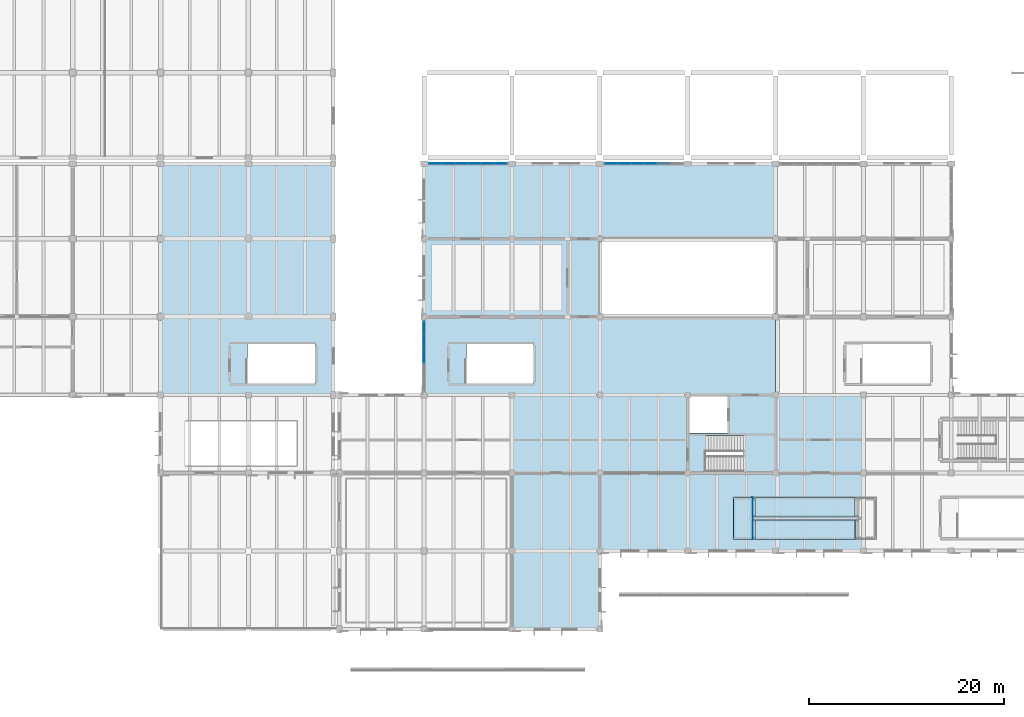
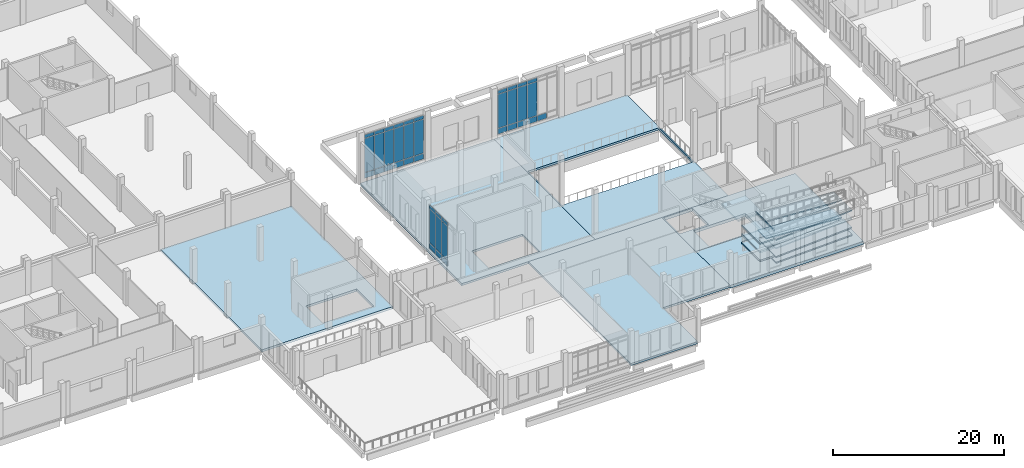
# One storey, part 56 of 110: 40 plates, 19 slabs, 5 elements without a shape of their own.
"""IFC4 building model written with IfcOpenShell, lengths in metres."""

from ifc_helpers import new_model, si_unit, direction, frame, origin, origin_2d, place, context, subcontext, project, spatial, polyline, rectangle, outline, extrude, material, layer, layer_set, type_object, element, aggregate, save


model = new_model("IFC4")

# Units and contexts
model_context = context("Model", 3, precision=1e-05, world=origin(), true_north=direction((0.0, 1.0)))
body_context = subcontext(model_context, "Body", "Model", "MODEL_VIEW")
ifc_project = project(units=[si_unit("LENGTHUNIT", "METRE"), si_unit("AREAUNIT", "SQUARE_METRE"), si_unit("VOLUMEUNIT", "CUBIC_METRE"), si_unit("PLANEANGLEUNIT", "RADIAN"), si_unit("MASSUNIT", "GRAM", prefix="KILO")], contexts=[model_context])

# Site, building, storey
site_placement = place(None, origin())
site = spatial("IfcSite", under=ifc_project, at=site_placement, CompositionType="ELEMENT")
building_placement = place(site_placement, origin())
building = spatial("IfcBuilding", under=site, at=building_placement, Name="Zacnel Wholesale Market", CompositionType="ELEMENT")
storey_placement = place(building_placement, frame((0.0, 0.0, 6.300048828125)))
storey = spatial("IfcBuildingStorey", under=building, at=storey_placement, Name="L02", CompositionType="ELEMENT", Elevation=6.300048828125)

# Curtain wall, plates
ifc_material_1 = material(Name="Anodised aluminium", Category="aluminium")
ifc_layer_1 = layer(ifc_material_1, 0.179931640625)
ifc_layer_set_1 = layer_set([ifc_layer_1], Name="Anodised aluminium")
curtain_wall_type = type_object("IfcCurtainWallType", Name="CW-AUCT-5800", PredefinedType="NOTDEFINED", material=ifc_layer_set_1)
curtain_wall_1_placement = place(storey_placement, origin())
curtain_wall_1 = element("IfcCurtainWall", 1, at=curtain_wall_1_placement, inside=storey, type_object=curtain_wall_type, Name="Curtain wall ENV-R2-CW-L02-010", PredefinedType="NOTDEFINED")
ifc_material_2 = material(Name="Laminated hurricane-impact low-E insulated glass", Category="glass")
ifc_layer_2 = layer(ifc_material_2, 0.035888671875)
ifc_layer_set_2 = layer_set([ifc_layer_2], Name="Laminated hurricane-impact low-E insulated glass")
plate_type_1 = type_object("IfcPlateType", Name="CWP-PNL-04", PredefinedType="CURTAIN_PANEL", material=ifc_layer_set_2)
plate_1_placement = place(storey_placement, frame((82.16259765625, 47.699951171875, 1.329833984375), z_axis=(0.0, 0.0, 1.0), x_axis=(1.0, 0.0, 0.0)))
plate_1 = element("IfcPlate", 2, at=plate_1_placement, type_object=plate_type_1, Name="ENV-R2-CW-L02-010 panel 1-2", PredefinedType="CURTAIN_PANEL", context=body_context, shape_type="SweptSolid", body=[
    extrude(rectangle(XDim=1.264892578125, YDim=0.035888671875, at=origin_2d()), origin(), (0.0, 0.0, 1.0), 4.830078125),
])
plate_2_placement = place(storey_placement, frame((83.49755859375, 47.699951171875, 1.329833984375), z_axis=(0.0, 0.0, 1.0), x_axis=(1.0, 0.0, 0.0)))
plate_2 = element("IfcPlate", 3, at=plate_2_placement, type_object=plate_type_1, Name="ENV-R2-CW-L02-010 panel 2-2", PredefinedType="CURTAIN_PANEL", context=body_context, shape_type="SweptSolid", body=[
    extrude(rectangle(XDim=1.264892578125, YDim=0.035888671875, at=origin_2d()), origin(), (0.0, 0.0, 1.0), 4.830078125),
])
plate_3_placement = place(storey_placement, frame((84.83251953125, 47.699951171875, 1.329833984375), z_axis=(0.0, 0.0, 1.0), x_axis=(1.0, 0.0, 0.0)))
plate_3 = element("IfcPlate", 4, at=plate_3_placement, type_object=plate_type_1, Name="ENV-R2-CW-L02-010 panel 3-2", PredefinedType="CURTAIN_PANEL", context=body_context, shape_type="SweptSolid", body=[
    extrude(rectangle(XDim=1.264892578125, YDim=0.035888671875, at=origin_2d()), origin(), (0.0, 0.0, 1.0), 4.830078125),
])
plate_4_placement = place(storey_placement, frame((86.16748046875, 47.699951171875, 1.329833984375), z_axis=(0.0, 0.0, 1.0), x_axis=(1.0, 0.0, 0.0)))
plate_4 = element("IfcPlate", 5, at=plate_4_placement, type_object=plate_type_1, Name="ENV-R2-CW-L02-010 panel 4-2", PredefinedType="CURTAIN_PANEL", context=body_context, shape_type="SweptSolid", body=[
    extrude(rectangle(XDim=1.264892578125, YDim=0.035888671875, at=origin_2d()), origin(), (0.0, 0.0, 1.0), 4.830078125),
])
plate_5_placement = place(storey_placement, frame((87.50244140625, 47.699951171875, 1.329833984375), z_axis=(0.0, 0.0, 1.0), x_axis=(1.0, 0.0, 0.0)))
plate_5 = element("IfcPlate", 6, at=plate_5_placement, type_object=plate_type_1, Name="ENV-R2-CW-L02-010 panel 5-2", PredefinedType="CURTAIN_PANEL", context=body_context, shape_type="SweptSolid", body=[
    extrude(rectangle(XDim=1.264892578125, YDim=0.035888671875, at=origin_2d()), origin(), (0.0, 0.0, 1.0), 4.830078125),
])
plate_6_placement = place(storey_placement, frame((88.83740234375, 47.699951171875, 1.329833984375), z_axis=(0.0, 0.0, 1.0), x_axis=(1.0, 0.0, 0.0)))
plate_6 = element("IfcPlate", 7, at=plate_6_placement, type_object=plate_type_1, Name="ENV-R2-CW-L02-010 panel 6-2", PredefinedType="CURTAIN_PANEL", context=body_context, shape_type="SweptSolid", body=[
    extrude(rectangle(XDim=1.264892578125, YDim=0.035888671875, at=origin_2d()), origin(), (0.0, 0.0, 1.0), 4.830078125),
])

curtain_wall_2_placement = place(storey_placement, origin())
curtain_wall_2 = element("IfcCurtainWall", 8, at=curtain_wall_2_placement, inside=storey, type_object=curtain_wall_type, Name="Curtain wall ENV-R2-CW-L02-011", PredefinedType="NOTDEFINED")
plate_7_placement = place(storey_placement, frame((100.16259765625, 47.699951171875, 1.329833984375), z_axis=(0.0, 0.0, 1.0), x_axis=(1.0, 0.0, 0.0)))
plate_7 = element("IfcPlate", 9, at=plate_7_placement, type_object=plate_type_1, Name="ENV-R2-CW-L02-011 panel 1-2", PredefinedType="CURTAIN_PANEL", context=body_context, shape_type="SweptSolid", body=[
    extrude(rectangle(XDim=1.264892578125, YDim=0.035888671875, at=origin_2d()), origin(), (0.0, 0.0, 1.0), 4.830078125),
])
plate_8_placement = place(storey_placement, frame((101.49755859375, 47.699951171875, 1.329833984375), z_axis=(0.0, 0.0, 1.0), x_axis=(1.0, 0.0, 0.0)))
plate_8 = element("IfcPlate", 10, at=plate_8_placement, type_object=plate_type_1, Name="ENV-R2-CW-L02-011 panel 2-2", PredefinedType="CURTAIN_PANEL", context=body_context, shape_type="SweptSolid", body=[
    extrude(rectangle(XDim=1.264892578125, YDim=0.035888671875, at=origin_2d()), origin(), (0.0, 0.0, 1.0), 4.830078125),
])
plate_9_placement = place(storey_placement, frame((102.83251953125, 47.699951171875, 1.329833984375), z_axis=(0.0, 0.0, 1.0), x_axis=(1.0, 0.0, 0.0)))
plate_9 = element("IfcPlate", 11, at=plate_9_placement, type_object=plate_type_1, Name="ENV-R2-CW-L02-011 panel 3-2", PredefinedType="CURTAIN_PANEL", context=body_context, shape_type="SweptSolid", body=[
    extrude(rectangle(XDim=1.264892578125, YDim=0.035888671875, at=origin_2d()), origin(), (0.0, 0.0, 1.0), 4.830078125),
])
plate_10_placement = place(storey_placement, frame((104.16748046875, 47.699951171875, 1.329833984375), z_axis=(0.0, 0.0, 1.0), x_axis=(1.0, 0.0, 0.0)))
plate_10 = element("IfcPlate", 12, at=plate_10_placement, type_object=plate_type_1, Name="ENV-R2-CW-L02-011 panel 4-2", PredefinedType="CURTAIN_PANEL", context=body_context, shape_type="SweptSolid", body=[
    extrude(rectangle(XDim=1.264892578125, YDim=0.035888671875, at=origin_2d()), origin(), (0.0, 0.0, 1.0), 4.830078125),
])

curtain_wall_3_placement = place(storey_placement, origin())
curtain_wall_3 = element("IfcCurtainWall", 13, at=curtain_wall_3_placement, inside=storey, type_object=curtain_wall_type, Name="Curtain wall ENV-R2-CW-L02-013", PredefinedType="NOTDEFINED")
plate_11_placement = place(storey_placement, frame((81.0, 28.0, 1.329833984375), z_axis=(0.0, 0.0, 1.0), x_axis=(0.0, 1.0, 0.0)))
plate_11 = element("IfcPlate", 14, at=plate_11_placement, type_object=plate_type_1, Name="ENV-R2-CW-L02-013 panel 3-2", PredefinedType="CURTAIN_PANEL", context=body_context, shape_type="SweptSolid", body=[
    extrude(rectangle(XDim=1.35009765625, YDim=0.035888671875, at=origin_2d()), origin(), (0.0, 0.0, 1.0), 4.830078125),
])
plate_12_placement = place(storey_placement, frame((81.0, 29.419921875, 1.329833984375), z_axis=(0.0, 0.0, 1.0), x_axis=(0.0, 1.0, 0.0)))
plate_12 = element("IfcPlate", 15, at=plate_12_placement, type_object=plate_type_1, Name="ENV-R2-CW-L02-013 panel 4-2", PredefinedType="CURTAIN_PANEL", context=body_context, shape_type="SweptSolid", body=[
    extrude(rectangle(XDim=1.35009765625, YDim=0.035888671875, at=origin_2d()), origin(), (0.0, 0.0, 1.0), 4.830078125),
])
plate_13_placement = place(storey_placement, frame((81.0, 30.840087890625, 1.329833984375), z_axis=(0.0, 0.0, 1.0), x_axis=(0.0, 1.0, 0.0)))
plate_13 = element("IfcPlate", 16, at=plate_13_placement, type_object=plate_type_1, Name="ENV-R2-CW-L02-013 panel 5-2", PredefinedType="CURTAIN_PANEL", context=body_context, shape_type="SweptSolid", body=[
    extrude(rectangle(XDim=1.35009765625, YDim=0.035888671875, at=origin_2d()), origin(), (0.0, 0.0, 1.0), 4.830078125),
])

# Plate
ifc_material_3 = material(Name="Anodised aluminium", Category="aluminium")
ifc_layer_3 = layer(ifc_material_3, 0.0400390625)
ifc_layer_set_3 = layer_set([ifc_layer_3], Name="Anodised aluminium")
plate_type_2 = type_object("IfcPlateType", Name="CWP-PNL-05", PredefinedType="CURTAIN_PANEL", material=ifc_layer_set_3)
plate_14_placement = place(storey_placement, frame((82.16259765625, 47.699951171875, 0.47998046875), z_axis=(0.0, 0.0, 1.0), x_axis=(1.0, 0.0, 0.0)))
plate_14 = element("IfcPlate", 17, at=plate_14_placement, type_object=plate_type_2, Name="ENV-R2-CW-L02-010 panel 1-1", PredefinedType="CURTAIN_PANEL", context=body_context, shape_type="SweptSolid", body=[
    extrude(rectangle(XDim=1.264892578125, YDim=0.0400390625, at=origin_2d()), origin(), (0.0, 0.0, 1.0), 0.7900390625),
])

plate_15_placement = place(storey_placement, frame((82.16259765625, 47.699951171875, 6.2197265625), z_axis=(0.0, 0.0, 1.0), x_axis=(1.0, 0.0, 0.0)))
plate_15 = element("IfcPlate", 18, at=plate_15_placement, type_object=plate_type_2, Name="ENV-R2-CW-L02-010 panel 1-3", PredefinedType="CURTAIN_PANEL", context=body_context, shape_type="SweptSolid", body=[
    extrude(rectangle(XDim=1.264892578125, YDim=0.0400390625, at=origin_2d()), origin(), (0.0, 0.0, 1.0), 0.489990234375),
])

plate_16_placement = place(storey_placement, frame((84.83251953125, 47.699951171875, 0.47998046875), z_axis=(0.0, 0.0, 1.0), x_axis=(1.0, 0.0, 0.0)))
plate_16 = element("IfcPlate", 19, at=plate_16_placement, type_object=plate_type_2, Name="ENV-R2-CW-L02-010 panel 3-1", PredefinedType="CURTAIN_PANEL", context=body_context, shape_type="SweptSolid", body=[
    extrude(rectangle(XDim=1.264892578125, YDim=0.0400390625, at=origin_2d()), origin(), (0.0, 0.0, 1.0), 0.7900390625),
])

plate_17_placement = place(storey_placement, frame((84.83251953125, 47.699951171875, 6.2197265625), z_axis=(0.0, 0.0, 1.0), x_axis=(1.0, 0.0, 0.0)))
plate_17 = element("IfcPlate", 20, at=plate_17_placement, type_object=plate_type_2, Name="ENV-R2-CW-L02-010 panel 3-3", PredefinedType="CURTAIN_PANEL", context=body_context, shape_type="SweptSolid", body=[
    extrude(rectangle(XDim=1.264892578125, YDim=0.0400390625, at=origin_2d()), origin(), (0.0, 0.0, 1.0), 0.489990234375),
])

plate_18_placement = place(storey_placement, frame((87.50244140625, 47.699951171875, 0.47998046875), z_axis=(0.0, 0.0, 1.0), x_axis=(1.0, 0.0, 0.0)))
plate_18 = element("IfcPlate", 21, at=plate_18_placement, type_object=plate_type_2, Name="ENV-R2-CW-L02-010 panel 5-1", PredefinedType="CURTAIN_PANEL", context=body_context, shape_type="SweptSolid", body=[
    extrude(rectangle(XDim=1.264892578125, YDim=0.0400390625, at=origin_2d()), origin(), (0.0, 0.0, 1.0), 0.7900390625),
])

plate_19_placement = place(storey_placement, frame((87.50244140625, 47.699951171875, 6.2197265625), z_axis=(0.0, 0.0, 1.0), x_axis=(1.0, 0.0, 0.0)))
plate_19 = element("IfcPlate", 22, at=plate_19_placement, type_object=plate_type_2, Name="ENV-R2-CW-L02-010 panel 5-3", PredefinedType="CURTAIN_PANEL", context=body_context, shape_type="SweptSolid", body=[
    extrude(rectangle(XDim=1.264892578125, YDim=0.0400390625, at=origin_2d()), origin(), (0.0, 0.0, 1.0), 0.489990234375),
])

plate_20_placement = place(storey_placement, frame((100.16259765625, 47.699951171875, 0.47998046875), z_axis=(0.0, 0.0, 1.0), x_axis=(1.0, 0.0, 0.0)))
plate_20 = element("IfcPlate", 23, at=plate_20_placement, type_object=plate_type_2, Name="ENV-R2-CW-L02-011 panel 1-1", PredefinedType="CURTAIN_PANEL", context=body_context, shape_type="SweptSolid", body=[
    extrude(rectangle(XDim=1.264892578125, YDim=0.0400390625, at=origin_2d()), origin(), (0.0, 0.0, 1.0), 0.7900390625),
])

plate_21_placement = place(storey_placement, frame((100.16259765625, 47.699951171875, 6.2197265625), z_axis=(0.0, 0.0, 1.0), x_axis=(1.0, 0.0, 0.0)))
plate_21 = element("IfcPlate", 24, at=plate_21_placement, type_object=plate_type_2, Name="ENV-R2-CW-L02-011 panel 1-3", PredefinedType="CURTAIN_PANEL", context=body_context, shape_type="SweptSolid", body=[
    extrude(rectangle(XDim=1.264892578125, YDim=0.0400390625, at=origin_2d()), origin(), (0.0, 0.0, 1.0), 0.489990234375),
])

plate_22_placement = place(storey_placement, frame((102.83251953125, 47.699951171875, 0.47998046875), z_axis=(0.0, 0.0, 1.0), x_axis=(1.0, 0.0, 0.0)))
plate_22 = element("IfcPlate", 25, at=plate_22_placement, type_object=plate_type_2, Name="ENV-R2-CW-L02-011 panel 3-1", PredefinedType="CURTAIN_PANEL", context=body_context, shape_type="SweptSolid", body=[
    extrude(rectangle(XDim=1.264892578125, YDim=0.0400390625, at=origin_2d()), origin(), (0.0, 0.0, 1.0), 0.7900390625),
])

plate_23_placement = place(storey_placement, frame((102.83251953125, 47.699951171875, 6.2197265625), z_axis=(0.0, 0.0, 1.0), x_axis=(1.0, 0.0, 0.0)))
plate_23 = element("IfcPlate", 26, at=plate_23_placement, type_object=plate_type_2, Name="ENV-R2-CW-L02-011 panel 3-3", PredefinedType="CURTAIN_PANEL", context=body_context, shape_type="SweptSolid", body=[
    extrude(rectangle(XDim=1.264892578125, YDim=0.0400390625, at=origin_2d()), origin(), (0.0, 0.0, 1.0), 0.489990234375),
])

plate_24_placement = place(storey_placement, frame((105.50244140625, 47.699951171875, 0.47998046875), z_axis=(0.0, 0.0, 1.0), x_axis=(1.0, 0.0, 0.0)))
plate_24 = element("IfcPlate", 27, at=plate_24_placement, type_object=plate_type_2, Name="ENV-R2-CW-L02-011 panel 5-1", PredefinedType="CURTAIN_PANEL", context=body_context, shape_type="SweptSolid", body=[
    extrude(rectangle(XDim=1.264892578125, YDim=0.0400390625, at=origin_2d()), origin(), (0.0, 0.0, 1.0), 0.7900390625),
])

plate_25_placement = place(storey_placement, frame((81.0, 28.0, 0.47998046875), z_axis=(0.0, 0.0, 1.0), x_axis=(0.0, 1.0, 0.0)))
plate_25 = element("IfcPlate", 28, at=plate_25_placement, type_object=plate_type_2, Name="ENV-R2-CW-L02-013 panel 3-1", PredefinedType="CURTAIN_PANEL", context=body_context, shape_type="SweptSolid", body=[
    extrude(rectangle(XDim=1.35009765625, YDim=0.0400390625, at=origin_2d()), origin(), (0.0, 0.0, 1.0), 0.7900390625),
])

plate_26_placement = place(storey_placement, frame((81.0, 28.0, 6.2197265625), z_axis=(0.0, 0.0, 1.0), x_axis=(0.0, 1.0, 0.0)))
plate_26 = element("IfcPlate", 29, at=plate_26_placement, type_object=plate_type_2, Name="ENV-R2-CW-L02-013 panel 3-3", PredefinedType="CURTAIN_PANEL", context=body_context, shape_type="SweptSolid", body=[
    extrude(rectangle(XDim=1.35009765625, YDim=0.0400390625, at=origin_2d()), origin(), (0.0, 0.0, 1.0), 0.489990234375),
])

plate_27_placement = place(storey_placement, frame((81.0, 30.840087890625, 0.47998046875), z_axis=(0.0, 0.0, 1.0), x_axis=(0.0, 1.0, 0.0)))
plate_27 = element("IfcPlate", 30, at=plate_27_placement, type_object=plate_type_2, Name="ENV-R2-CW-L02-013 panel 5-1", PredefinedType="CURTAIN_PANEL", context=body_context, shape_type="SweptSolid", body=[
    extrude(rectangle(XDim=1.35009765625, YDim=0.0400390625, at=origin_2d()), origin(), (0.0, 0.0, 1.0), 0.7900390625),
])

plate_28_placement = place(storey_placement, frame((81.0, 30.840087890625, 6.2197265625), z_axis=(0.0, 0.0, 1.0), x_axis=(0.0, 1.0, 0.0)))
plate_28 = element("IfcPlate", 31, at=plate_28_placement, type_object=plate_type_2, Name="ENV-R2-CW-L02-013 panel 5-3", PredefinedType="CURTAIN_PANEL", context=body_context, shape_type="SweptSolid", body=[
    extrude(rectangle(XDim=1.35009765625, YDim=0.0400390625, at=origin_2d()), origin(), (0.0, 0.0, 1.0), 0.489990234375),
])

ifc_material_4 = material(Name="Honed Yucatan Maya cream limestone", Category="masonry")
ifc_layer_4 = layer(ifc_material_4, 0.044921875)
ifc_layer_set_4 = layer_set([ifc_layer_4], Name="Honed Yucatan Maya cream limestone")
plate_type_3 = type_object("IfcPlateType", Name="CWP-PNL-06", PredefinedType="CURTAIN_PANEL", material=ifc_layer_set_4)
plate_29_placement = place(storey_placement, frame((83.49755859375, 47.699951171875, 0.47998046875), z_axis=(0.0, 0.0, 1.0), x_axis=(1.0, 0.0, 0.0)))
plate_29 = element("IfcPlate", 32, at=plate_29_placement, type_object=plate_type_3, Name="ENV-R2-CW-L02-010 panel 2-1", PredefinedType="CURTAIN_PANEL", context=body_context, shape_type="SweptSolid", body=[
    extrude(rectangle(XDim=1.264892578125, YDim=0.044921875, at=origin_2d()), origin(), (0.0, 0.0, 1.0), 0.7900390625),
])

plate_30_placement = place(storey_placement, frame((83.49755859375, 47.699951171875, 6.2197265625), z_axis=(0.0, 0.0, 1.0), x_axis=(1.0, 0.0, 0.0)))
plate_30 = element("IfcPlate", 33, at=plate_30_placement, type_object=plate_type_3, Name="ENV-R2-CW-L02-010 panel 2-3", PredefinedType="CURTAIN_PANEL", context=body_context, shape_type="SweptSolid", body=[
    extrude(rectangle(XDim=1.264892578125, YDim=0.044921875, at=origin_2d()), origin(), (0.0, 0.0, 1.0), 0.489990234375),
])

plate_31_placement = place(storey_placement, frame((86.16748046875, 47.699951171875, 0.47998046875), z_axis=(0.0, 0.0, 1.0), x_axis=(1.0, 0.0, 0.0)))
plate_31 = element("IfcPlate", 34, at=plate_31_placement, type_object=plate_type_3, Name="ENV-R2-CW-L02-010 panel 4-1", PredefinedType="CURTAIN_PANEL", context=body_context, shape_type="SweptSolid", body=[
    extrude(rectangle(XDim=1.264892578125, YDim=0.044921875, at=origin_2d()), origin(), (0.0, 0.0, 1.0), 0.7900390625),
])

plate_32_placement = place(storey_placement, frame((86.16748046875, 47.699951171875, 6.2197265625), z_axis=(0.0, 0.0, 1.0), x_axis=(1.0, 0.0, 0.0)))
plate_32 = element("IfcPlate", 35, at=plate_32_placement, type_object=plate_type_3, Name="ENV-R2-CW-L02-010 panel 4-3", PredefinedType="CURTAIN_PANEL", context=body_context, shape_type="SweptSolid", body=[
    extrude(rectangle(XDim=1.264892578125, YDim=0.044921875, at=origin_2d()), origin(), (0.0, 0.0, 1.0), 0.489990234375),
])

plate_33_placement = place(storey_placement, frame((88.83740234375, 47.699951171875, 0.47998046875), z_axis=(0.0, 0.0, 1.0), x_axis=(1.0, 0.0, 0.0)))
plate_33 = element("IfcPlate", 36, at=plate_33_placement, type_object=plate_type_3, Name="ENV-R2-CW-L02-010 panel 6-1", PredefinedType="CURTAIN_PANEL", context=body_context, shape_type="SweptSolid", body=[
    extrude(rectangle(XDim=1.264892578125, YDim=0.044921875, at=origin_2d()), origin(), (0.0, 0.0, 1.0), 0.7900390625),
])

plate_34_placement = place(storey_placement, frame((88.83740234375, 47.699951171875, 6.2197265625), z_axis=(0.0, 0.0, 1.0), x_axis=(1.0, 0.0, 0.0)))
plate_34 = element("IfcPlate", 37, at=plate_34_placement, type_object=plate_type_3, Name="ENV-R2-CW-L02-010 panel 6-3", PredefinedType="CURTAIN_PANEL", context=body_context, shape_type="SweptSolid", body=[
    extrude(rectangle(XDim=1.264892578125, YDim=0.044921875, at=origin_2d()), origin(), (0.0, 0.0, 1.0), 0.489990234375),
])

aggregate(curtain_wall_1, [plate_14, plate_1, plate_15, plate_29, plate_2, plate_30, plate_16, plate_3, plate_17, plate_31, plate_4, plate_32, plate_18, plate_5, plate_19, plate_33, plate_6, plate_34])

plate_35_placement = place(storey_placement, frame((101.49755859375, 47.699951171875, 0.47998046875), z_axis=(0.0, 0.0, 1.0), x_axis=(1.0, 0.0, 0.0)))
plate_35 = element("IfcPlate", 38, at=plate_35_placement, type_object=plate_type_3, Name="ENV-R2-CW-L02-011 panel 2-1", PredefinedType="CURTAIN_PANEL", context=body_context, shape_type="SweptSolid", body=[
    extrude(rectangle(XDim=1.264892578125, YDim=0.044921875, at=origin_2d()), origin(), (0.0, 0.0, 1.0), 0.7900390625),
])

plate_36_placement = place(storey_placement, frame((101.49755859375, 47.699951171875, 6.2197265625), z_axis=(0.0, 0.0, 1.0), x_axis=(1.0, 0.0, 0.0)))
plate_36 = element("IfcPlate", 39, at=plate_36_placement, type_object=plate_type_3, Name="ENV-R2-CW-L02-011 panel 2-3", PredefinedType="CURTAIN_PANEL", context=body_context, shape_type="SweptSolid", body=[
    extrude(rectangle(XDim=1.264892578125, YDim=0.044921875, at=origin_2d()), origin(), (0.0, 0.0, 1.0), 0.489990234375),
])

plate_37_placement = place(storey_placement, frame((104.16748046875, 47.699951171875, 0.47998046875), z_axis=(0.0, 0.0, 1.0), x_axis=(1.0, 0.0, 0.0)))
plate_37 = element("IfcPlate", 40, at=plate_37_placement, type_object=plate_type_3, Name="ENV-R2-CW-L02-011 panel 4-1", PredefinedType="CURTAIN_PANEL", context=body_context, shape_type="SweptSolid", body=[
    extrude(rectangle(XDim=1.264892578125, YDim=0.044921875, at=origin_2d()), origin(), (0.0, 0.0, 1.0), 0.7900390625),
])

plate_38_placement = place(storey_placement, frame((104.16748046875, 47.699951171875, 6.2197265625), z_axis=(0.0, 0.0, 1.0), x_axis=(1.0, 0.0, 0.0)))
plate_38 = element("IfcPlate", 41, at=plate_38_placement, type_object=plate_type_3, Name="ENV-R2-CW-L02-011 panel 4-3", PredefinedType="CURTAIN_PANEL", context=body_context, shape_type="SweptSolid", body=[
    extrude(rectangle(XDim=1.264892578125, YDim=0.044921875, at=origin_2d()), origin(), (0.0, 0.0, 1.0), 0.489990234375),
])

aggregate(curtain_wall_2, [plate_20, plate_7, plate_21, plate_35, plate_8, plate_36, plate_22, plate_9, plate_23, plate_37, plate_10, plate_38, plate_24])

plate_39_placement = place(storey_placement, frame((81.0, 29.419921875, 0.47998046875), z_axis=(0.0, 0.0, 1.0), x_axis=(0.0, 1.0, 0.0)))
plate_39 = element("IfcPlate", 42, at=plate_39_placement, type_object=plate_type_3, Name="ENV-R2-CW-L02-013 panel 4-1", PredefinedType="CURTAIN_PANEL", context=body_context, shape_type="SweptSolid", body=[
    extrude(rectangle(XDim=1.35009765625, YDim=0.044921875, at=origin_2d()), origin(), (0.0, 0.0, 1.0), 0.7900390625),
])

plate_40_placement = place(storey_placement, frame((81.0, 29.419921875, 6.2197265625), z_axis=(0.0, 0.0, 1.0), x_axis=(0.0, 1.0, 0.0)))
plate_40 = element("IfcPlate", 43, at=plate_40_placement, type_object=plate_type_3, Name="ENV-R2-CW-L02-013 panel 4-3", PredefinedType="CURTAIN_PANEL", context=body_context, shape_type="SweptSolid", body=[
    extrude(rectangle(XDim=1.35009765625, YDim=0.044921875, at=origin_2d()), origin(), (0.0, 0.0, 1.0), 0.489990234375),
])

aggregate(curtain_wall_3, [plate_25, plate_11, plate_26, plate_39, plate_12, plate_40, plate_27, plate_13, plate_28])

# Slabs
ifc_material_5 = material(Name="Precast concrete C45/55", Category="concrete")
ifc_layer_5 = layer(ifc_material_5, 0.300048828125)
ifc_layer_set_5 = layer_set([ifc_layer_5], Name="Precast concrete C45/55")
slab_type_1 = type_object("IfcSlabType", Name="SLB-FLR-300", PredefinedType="FLOOR", material=ifc_layer_set_5)
slab_1_placement = place(storey_placement, frame((0.0, 0.0, -0.300048828125)))
element("IfcSlab", 44, at=slab_1_placement, inside=storey, type_object=slab_type_1, Name="Structural slab SLB-L02-V4-INT-P2", PredefinedType="FLOOR", context=body_context, shape_type="SweptSolid", body=[
    extrude(outline(polyline([(108.0, 24.0), (108.0, 8.0), (99.0, 8.0), (99.0, 0.0), (90.0, 0.0), (90.0, 24.0), (108.0, 24.0)])), origin(), (0.0, 0.0, 1.0), 0.300048828125),
])
slab_2_placement = place(storey_placement, frame((0.0, 0.0, -0.300048828125)))
element("IfcSlab", 45, at=slab_2_placement, inside=storey, type_object=slab_type_1, Name="Structural slab SLB-L02-V2-GAL-P1", PredefinedType="FLOOR", context=body_context, shape_type="SweptSolid", body=[
    extrude(outline(polyline([(99.0, 47.699951171875), (99.0, 24.0), (81.0, 24.0), (81.0, 47.699951171875), (99.0, 47.699951171875)]), holes=[polyline([(85.320068359375, 25.199951171875), (92.199951171875, 25.199951171875), (92.199951171875, 29.199951171875), (85.320068359375, 29.199951171875), (85.320068359375, 25.199951171875)])]), origin(), (0.0, 0.0, 1.0), 0.300048828125),
])
slab_3_placement = place(storey_placement, frame((0.0, 0.0, -0.300048828125)))
element("IfcSlab", 46, at=slab_3_placement, inside=storey, type_object=slab_type_1, Name="Structural slab SLB-L02-V2-GAL-P2", PredefinedType="FLOOR", context=body_context, shape_type="SweptSolid", body=[
    extrude(outline(polyline([(117.0, 47.699951171875), (117.0, 24.0), (99.0, 24.0), (99.0, 47.699951171875), (117.0, 47.699951171875)]), holes=[polyline([(99.14990234375, 32.0), (116.85009765625, 32.0), (116.85009765625, 40.0), (99.14990234375, 40.0), (99.14990234375, 32.0)])]), origin(), (0.0, 0.0, 1.0), 0.300048828125),
])
ifc_material_6 = material(Name="Precast concrete C45/55", Category="concrete")
ifc_layer_6 = layer(ifc_material_6, 0.320068359375)
ifc_layer_set_6 = layer_set([ifc_layer_6], Name="Precast concrete C45/55")
slab_type_2 = type_object("IfcSlabType", Name="SLB-FLR-320", PredefinedType="FLOOR", material=ifc_layer_set_6)
slab_4_placement = place(storey_placement, frame((0.0, 0.0, -0.320068359375)))
element("IfcSlab", 47, at=slab_4_placement, inside=storey, type_object=slab_type_2, Name="Structural slab SLB-L02-V3-S-P3", PredefinedType="FLOOR", context=body_context, shape_type="SweptSolid", body=[
    extrude(outline(polyline([(71.699951171875, 24.0), (54.0, 24.0), (54.0, 47.699951171875), (71.699951171875, 47.699951171875), (71.699951171875, 24.0)]), holes=[polyline([(62.919921875, 25.199951171875), (69.800048828125, 25.199951171875), (69.800048828125, 29.199951171875), (62.919921875, 29.199951171875), (62.919921875, 25.199951171875)])]), origin(), (0.0, 0.0, 1.0), 0.320068359375),
])
ifc_material_7 = material(Name="Precast concrete C45/55", Category="concrete")
ifc_layer_7 = layer(ifc_material_7, 0.419921875)
ifc_layer_set_7 = layer_set([ifc_layer_7], Name="Precast concrete C45/55")
slab_type_3 = type_object("IfcSlabType", Name="SLB-FLR-420", PredefinedType="FLOOR", material=ifc_layer_set_7)
slab_5_placement = place(storey_placement, frame((0.0, 0.0, -0.420166015625)))
element("IfcSlab", 48, at=slab_5_placement, inside=storey, type_object=slab_type_3, Name="Structural slab SLB-L02-V4-FLW2-P1", PredefinedType="FLOOR", context=body_context, shape_type="SweptSolid", body=[
    extrude(outline(polyline([(126.0, 24.0), (126.0, 16.0), (108.0, 16.0), (108.0, 24.0), (126.0, 24.0)]), holes=[polyline([(109.85009765625, 16.139892578125), (116.8701171875, 16.139892578125), (116.8701171875, 19.820068359375), (109.85009765625, 19.820068359375), (109.85009765625, 16.139892578125)]), polyline([(108.139892578125, 20.080078125), (112.070068359375, 20.080078125), (112.070068359375, 23.860107421875), (108.139892578125, 23.860107421875), (108.139892578125, 20.080078125)])]), origin(), (0.0, 0.0, 1.0), 0.420166015625),
])
slab_6_placement = place(storey_placement, frame((0.0, 0.0, -0.420166015625)))
element("IfcSlab", 49, at=slab_6_placement, inside=storey, type_object=slab_type_3, Name="Structural slab SLB-L02-V4-EAST-S-P1", PredefinedType="FLOOR", context=body_context, shape_type="SweptSolid", body=[
    extrude(outline(polyline([(126.0, 16.0), (126.0, 8.0), (108.0, 8.0), (108.0, 16.0), (126.0, 16.0)])), origin(), (0.0, 0.0, 1.0), 0.420166015625),
])

# Stair, slab
ifc_material_8 = material(Name="Precast concrete C45/55", Category="concrete")
stair_type = type_object("IfcStairType", Name="STR-DOGLEG-1550", PredefinedType="HALF_TURN_STAIR", material=ifc_material_8)
stair_placement = place(storey_placement, origin())
stair = element("IfcStair", 50, at=stair_placement, inside=storey, type_object=stair_type, Name="Stair ST-17 (L02)", PredefinedType="HALF_TURN_STAIR")
ifc_material_9 = material(Name="Precast concrete C45/55", Category="concrete")
ifc_layer_8 = layer(ifc_material_9, 0.199951171875)
ifc_layer_set_8 = layer_set([ifc_layer_8], Name="Precast concrete C45/55")
slab_type_4 = type_object("IfcSlabType", Name="SLB-LAND-200", PredefinedType="LANDING", material=ifc_layer_set_8)
slab_7_placement = place(storey_placement, frame((0.0, 0.0, 2.25)))
slab_7 = element("IfcSlab", 51, at=slab_7_placement, type_object=slab_type_4, Name="ST-17 landing 1", PredefinedType="LANDING", context=body_context, shape_type="SweptSolid", body=[
    extrude(outline(polyline([(113.7099609375, 15.989990234375), (117.010009765625, 15.989990234375), (117.010009765625, 19.9599609375), (113.7099609375, 19.9599609375), (113.7099609375, 15.989990234375)])), origin(), (0.0, 0.0, 1.0), 0.199951171875),
])
aggregate(stair, [slab_7])

# Ramp, slabs
ifc_material_10 = material(Name="Precast concrete C45/55", Category="concrete")
ramp_type = type_object("IfcRampType", Name="RMP-TWO-RUN-2000", PredefinedType="TWO_STRAIGHT_RUN_RAMP", material=ifc_material_10)
ramp_placement = place(storey_placement, origin())
ramp = element("IfcRamp", 52, at=ramp_placement, inside=storey, type_object=ramp_type, Name="Accessible ramp RP-04 (RMP-PROM-2)", PredefinedType="TWO_STRAIGHT_RUN_RAMP")
ifc_material_11 = material(Name="Precast concrete C45/55", Category="concrete")
ifc_layer_9 = layer(ifc_material_11, 0.219970703125)
ifc_layer_set_9 = layer_set([ifc_layer_9], Name="Precast concrete C45/55")
slab_type_5 = type_object("IfcSlabType", Name="SLB-LAND-220", PredefinedType="LANDING", material=ifc_layer_set_9)
slab_8_placement = place(storey_placement, frame((114.8798828125, 9.199951171875, 0.169921875), z_axis=(-0.03524203955, 0.0, 0.999378806383), x_axis=(0.999378806383, 0.0, 0.03524203955)))
slab_8 = element("IfcSlab", 53, at=slab_8_placement, type_object=slab_type_5, Name="Accessible ramp RP-04 (RMP-PROM-2) structural deck 1", PredefinedType="LANDING", context=body_context, shape_type="SweptSolid", body=[
    extrude(outline(polyline([(0.0, 0.0), (10.287396324302758, 0.0), (10.287396324302758, 2.0), (0.0, 2.0), (0.0, 0.0)])), origin(), (0.0, 0.0, -1.0), 0.159912109375),
])
slab_9_placement = place(storey_placement, frame((114.8798828125, 11.5, 0.98486328125), z_axis=(0.059451540727, 0.0, 0.998231192813), x_axis=(0.998231192813, 0.0, -0.059451540727)))
slab_9 = element("IfcSlab", 54, at=slab_9_placement, type_object=slab_type_5, Name="Accessible ramp RP-04 (RMP-PROM-2) structural deck 2", PredefinedType="LANDING", context=body_context, shape_type="SweptSolid", body=[
    extrude(outline(polyline([(0.0, 0.0), (10.299223199389242, 0.0), (10.299223199389242, 2.0), (0.0, 2.0), (0.0, 0.0)])), origin(), (0.0, 0.0, -1.0), 0.159912109375),
])
slab_10_placement = place(storey_placement, frame((0.0, 0.0, 1.0048828125)))
slab_10 = element("IfcSlab", 55, at=slab_10_placement, type_object=slab_type_5, Name="Accessible ramp RP-04 (RMP-PROM-2) landing 2", PredefinedType="LANDING", context=body_context, shape_type="SweptSolid", body=[
    extrude(outline(polyline([(112.699951171875, 9.199951171875), (114.64990234375, 9.199951171875), (114.64990234375, 13.5), (112.699951171875, 13.5), (112.699951171875, 9.199951171875)])), origin(), (0.0, 0.0, 1.0), 0.219970703125),
])
slab_11_placement = place(storey_placement, frame((114.8798828125, 9.199951171875, 0.98486328125), z_axis=(-0.059475161654, 0.0, 0.998229785744), x_axis=(0.998229785744, 0.0, 0.059475161654)))
slab_11 = element("IfcSlab", 56, at=slab_11_placement, type_object=slab_type_5, Name="Accessible ramp RP-04 (RMP-PROM-2) structural deck 3", PredefinedType="LANDING", context=body_context, shape_type="SweptSolid", body=[
    extrude(outline(polyline([(0.0, 0.0), (10.299237716808967, 0.0), (10.299237716808967, 2.0), (0.0, 2.0), (0.0, 0.0)])), origin(), (0.0, 0.0, -1.0), 0.159912109375),
])
slab_12_placement = place(storey_placement, frame((114.8798828125, 11.5, 2.2099609375), z_axis=(0.059475161654, 0.0, 0.998229785744), x_axis=(0.998229785744, 0.0, -0.059475161654)))
slab_12 = element("IfcSlab", 57, at=slab_12_placement, type_object=slab_type_5, Name="Accessible ramp RP-04 (RMP-PROM-2) structural deck 4", PredefinedType="LANDING", context=body_context, shape_type="SweptSolid", body=[
    extrude(outline(polyline([(0.0, 0.0), (10.299237716808967, 0.0), (10.299237716808967, 2.0), (0.0, 2.0), (0.0, 0.0)])), origin(), (0.0, 0.0, -1.0), 0.159912109375),
])
slab_13_placement = place(storey_placement, frame((0.0, 0.0, 2.22998046875)))
slab_13 = element("IfcSlab", 58, at=slab_13_placement, type_object=slab_type_5, Name="Accessible ramp RP-04 (RMP-PROM-2) landing 4", PredefinedType="LANDING", context=body_context, shape_type="SweptSolid", body=[
    extrude(outline(polyline([(112.699951171875, 9.199951171875), (114.64990234375, 9.199951171875), (114.64990234375, 13.5), (112.699951171875, 13.5), (112.699951171875, 9.199951171875)])), origin(), (0.0, 0.0, 1.0), 0.219970703125),
])
slab_14_placement = place(storey_placement, frame((114.8798828125, 9.199951171875, 2.2099609375), z_axis=(-0.059475161654, 0.0, 0.998229785744), x_axis=(0.998229785744, 0.0, 0.059475161654)))
slab_14 = element("IfcSlab", 59, at=slab_14_placement, type_object=slab_type_5, Name="Accessible ramp RP-04 (RMP-PROM-2) structural deck 5", PredefinedType="LANDING", context=body_context, shape_type="SweptSolid", body=[
    extrude(outline(polyline([(0.0, 0.0), (10.299237716808967, 0.0), (10.299237716808967, 2.0), (0.0, 2.0), (0.0, 0.0)])), origin(), (0.0, 0.0, -1.0), 0.159912109375),
])
slab_15_placement = place(storey_placement, frame((114.8798828125, 11.5, 3.43505859375), z_axis=(0.059475161654, 0.0, 0.998229785744), x_axis=(0.998229785744, 0.0, -0.059475161654)))
slab_15 = element("IfcSlab", 60, at=slab_15_placement, type_object=slab_type_5, Name="Accessible ramp RP-04 (RMP-PROM-2) structural deck 6", PredefinedType="LANDING", context=body_context, shape_type="SweptSolid", body=[
    extrude(outline(polyline([(0.0, 0.0), (10.299237716808967, 0.0), (10.299237716808967, 2.0), (0.0, 2.0), (0.0, 0.0)])), origin(), (0.0, 0.0, -1.0), 0.159912109375),
])
slab_16_placement = place(storey_placement, frame((0.0, 0.0, 3.454833984375)))
slab_16 = element("IfcSlab", 61, at=slab_16_placement, type_object=slab_type_5, Name="Accessible ramp RP-04 (RMP-PROM-2) landing 6", PredefinedType="LANDING", context=body_context, shape_type="SweptSolid", body=[
    extrude(outline(polyline([(112.699951171875, 9.199951171875), (114.64990234375, 9.199951171875), (114.64990234375, 13.5), (112.699951171875, 13.5), (112.699951171875, 9.199951171875)])), origin(), (0.0, 0.0, 1.0), 0.22021484375),
])
slab_17_placement = place(storey_placement, frame((114.8798828125, 9.199951171875, 3.43505859375), z_axis=(-0.059451540727, 0.0, 0.998231192813), x_axis=(0.998231192813, 0.0, 0.059451540727)))
slab_17 = element("IfcSlab", 62, at=slab_17_placement, type_object=slab_type_5, Name="Accessible ramp RP-04 (RMP-PROM-2) structural deck 7", PredefinedType="LANDING", context=body_context, shape_type="SweptSolid", body=[
    extrude(outline(polyline([(0.0, 0.0), (10.299223199389242, 0.0), (10.299223199389242, 2.0), (0.0, 2.0), (0.0, 0.0)])), origin(), (0.0, 0.0, -1.0), 0.159912109375),
])
slab_18_placement = place(storey_placement, frame((114.8798828125, 11.5, 4.659912109375), z_axis=(0.059475161654, 0.0, 0.998229785744), x_axis=(0.998229785744, 0.0, -0.059475161654)))
slab_18 = element("IfcSlab", 63, at=slab_18_placement, type_object=slab_type_5, Name="Accessible ramp RP-04 (RMP-PROM-2) structural deck 8", PredefinedType="LANDING", context=body_context, shape_type="SweptSolid", body=[
    extrude(outline(polyline([(0.0, 0.0), (10.299237716808967, 0.0), (10.299237716808967, 2.0), (0.0, 2.0), (0.0, 0.0)])), origin(), (0.0, 0.0, -1.0), 0.159912109375),
])
slab_19_placement = place(storey_placement, frame((0.0, 0.0, 4.679931640625)))
slab_19 = element("IfcSlab", 64, at=slab_19_placement, type_object=slab_type_5, Name="Accessible ramp RP-04 (RMP-PROM-2) landing 8", PredefinedType="LANDING", context=body_context, shape_type="SweptSolid", body=[
    extrude(outline(polyline([(114.6298828125, 9.199951171875), (114.64990234375, 9.199951171875), (114.64990234375, 13.5), (114.6298828125, 13.5), (114.6298828125, 9.199951171875)])), origin(), (0.0, 0.0, 1.0), 0.219970703125),
])
aggregate(ramp, [slab_8, slab_9, slab_10, slab_11, slab_12, slab_13, slab_14, slab_15, slab_16, slab_17, slab_18, slab_19])

save(model, "model.ifc")
